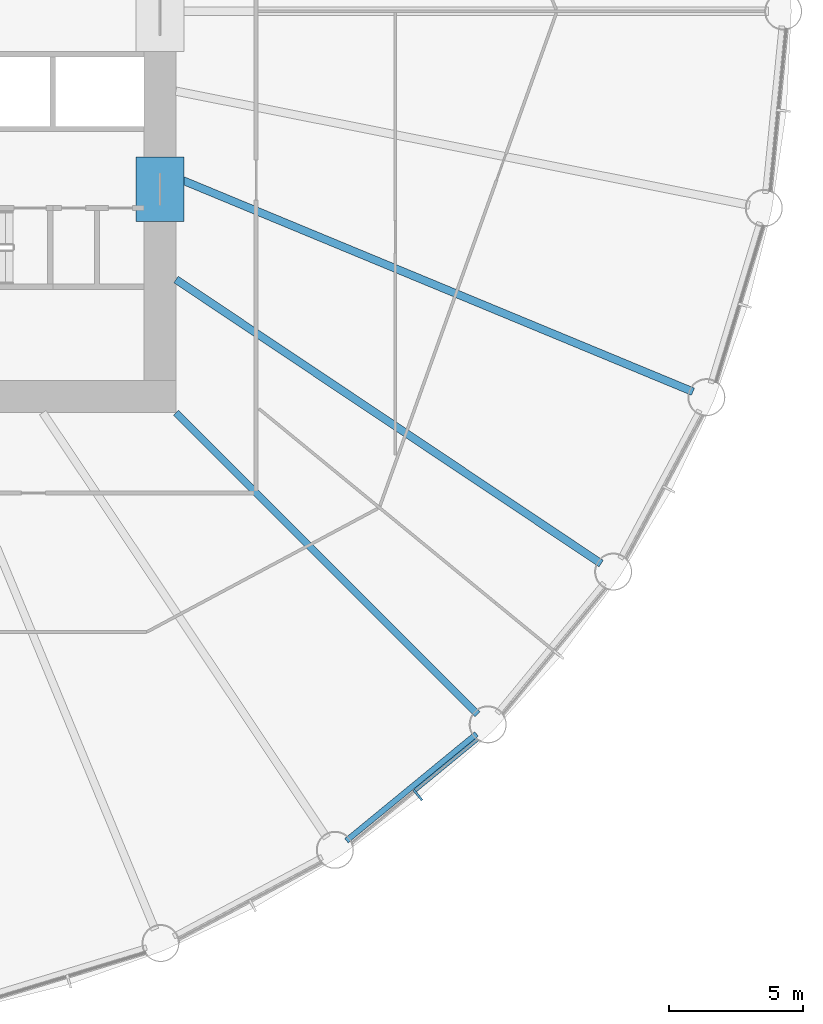
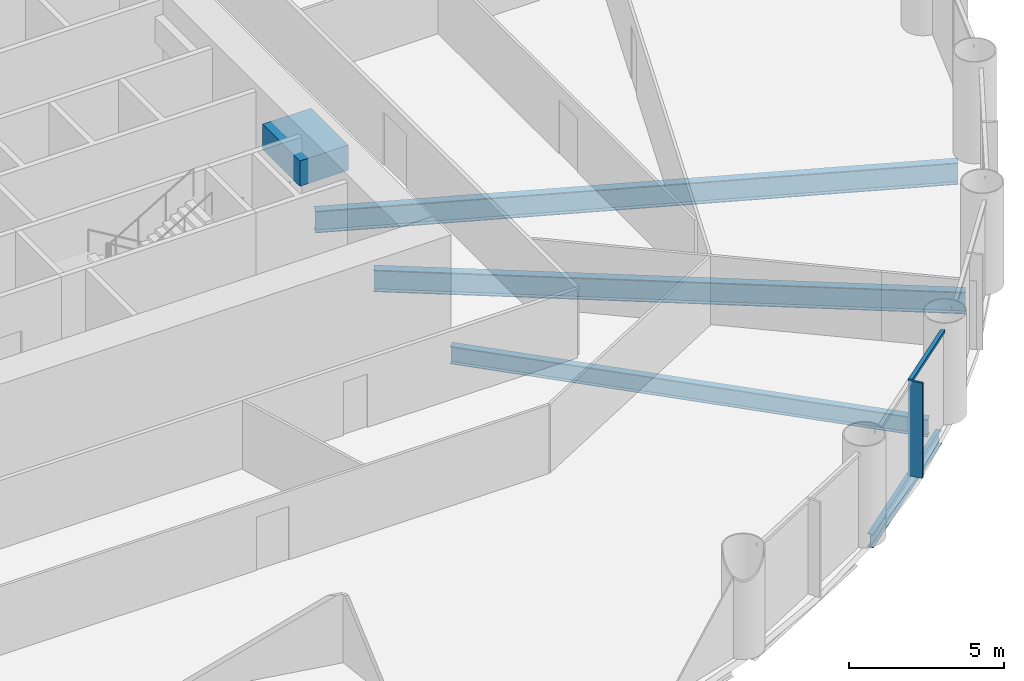
# One storey, part 3 of 15: 5 beams, 2 members, 1 element without a shape of its own.
"""IFC4 building model written with IfcOpenShell, lengths in metres."""

from ifc_helpers import new_model, si_unit, direction, frame, origin, origin_2d, place, context, subcontext, project, spatial, rectangle, i_section, extrude, material, material_profile, profile_set, type_object, element, aggregate, save


model = new_model("IFC4")

# Units and contexts
model_context = context("Model", 3, precision=1e-05, world=origin(), true_north=direction((0.0, 1.0)))
body_context = subcontext(model_context, "Body", "Model", "MODEL_VIEW")
ifc_project = project(units=[si_unit("LENGTHUNIT", "METRE"), si_unit("AREAUNIT", "SQUARE_METRE"), si_unit("VOLUMEUNIT", "CUBIC_METRE"), si_unit("PLANEANGLEUNIT", "RADIAN"), si_unit("MASSUNIT", "GRAM", prefix="KILO")], contexts=[model_context])

# Site, building, storey
site_placement = place(None, origin())
site = spatial("IfcSite", under=ifc_project, at=site_placement, CompositionType="ELEMENT")
building_placement = place(site_placement, origin())
building = spatial("IfcBuilding", under=site, at=building_placement, Name="Corvane Civic Tower", CompositionType="ELEMENT")
storey_placement = place(building_placement, frame((0.0, 0.0, 61.0)))
storey = spatial("IfcBuildingStorey", under=building, at=storey_placement, Name="L13", CompositionType="ELEMENT", Elevation=61.0)

# Beams
ifc_material_1 = material(Name="Concrete C80/95", Category="concrete")
ifc_material_profile_1 = material_profile(ifc_material_1, rectangle(XDim=1.800048828125, YDim=1.0, at=origin_2d()), Name="COUPLING BEAM 1800X1000")
ifc_profile_set_1 = profile_set([ifc_material_profile_1], Name="Concrete C80/95")
beam_type_1 = type_object("IfcBeamType", Name="COUPLING BEAM COUPLING BEAM 1800X1000", PredefinedType="BEAM", material=ifc_profile_set_1)
beam_1_placement = place(storey_placement, frame((14.39990234375, -7.85009765625, 2.60009765625), z_axis=(0.0, 1.0, 0.0), x_axis=(-1.0, 0.0, 0.0)))
element("IfcBeam", 1, at=beam_1_placement, inside=storey, type_object=beam_type_1, Name="BM-L13-cpl-CW-ES", PredefinedType="BEAM", context=body_context, shape_type="SweptSolid", body=[
    extrude(rectangle(XDim=1.800048828125, YDim=1.0, at=origin_2d()), origin(), (0.0, 0.0, 1.0), 2.400146484375),
])
ifc_material_2 = material(Name="Steel ASTM A992 Gr 50", Category="steel")
ifc_material_profile_2 = material_profile(ifc_material_2, i_section(OverallWidth=0.209228515625, OverallDepth=0.533447265625, WebThickness=0.01025390625, FlangeThickness=0.015625, at=origin_2d()), Name="W21X62")
ifc_profile_set_2 = profile_set([ifc_material_profile_2], Name="Steel ASTM A992 Gr 50")
beam_type_2 = type_object("IfcBeamType", Name="EDGE BEAM W21X62", PredefinedType="BEAM", material=ifc_profile_set_2)
beam_2_placement = place(storey_placement, frame((26.23291015625, -27.0068359375, -0.566650390625), z_axis=(-0.773015785286, -0.634386787141, 0.0), x_axis=(0.634386787141, -0.773015785286, 0.0)))
element("IfcBeam", 2, at=beam_2_placement, inside=storey, type_object=beam_type_2, Name="BM-L13-E13", PredefinedType="BEAM", context=body_context, shape_type="SweptSolid", body=[
    extrude(i_section(OverallWidth=0.209228515625, OverallDepth=0.533447265625, WebThickness=0.01025390625, FlangeThickness=0.015625, at=origin_2d()), origin(), (0.0, 0.0, 1.0), 6.290771484375),
])
ifc_material_3 = material(Name="Steel ASTM A992 Gr 50", Category="steel")
ifc_material_profile_3 = material_profile(ifc_material_3, i_section(OverallWidth=0.256591796875, OverallDepth=0.693359375, WebThickness=0.014404296875, FlangeThickness=0.023681640625, at=origin_2d()), Name="W27X114")
ifc_profile_set_3 = profile_set([ifc_material_profile_3], Name="Steel ASTM A992 Gr 50")
beam_type_3 = type_object("IfcBeamType", Name="FLOOR GIRDER W27X114", PredefinedType="BEAM", material=ifc_profile_set_3)
beam_3_placement = place(storey_placement, frame((15.0, -15.0, -0.646728515625), z_axis=(0.707106781187, -0.707106781187, 0.0), x_axis=(0.707106781187, 0.707106781187, 0.0)))
element("IfcBeam", 3, at=beam_3_placement, inside=storey, type_object=beam_type_3, Name="BM-L13-G13", PredefinedType="BEAM", context=body_context, shape_type="SweptSolid", body=[
    extrude(i_section(OverallWidth=0.256591796875, OverallDepth=0.693359375, WebThickness=0.014404296875, FlangeThickness=0.023681640625, at=origin_2d()), origin(), (0.0, 0.0, 1.0), 15.936767578125),
])
ifc_material_4 = material(Name="Steel ASTM A992 Gr 50", Category="steel")
ifc_material_profile_4 = material_profile(ifc_material_4, i_section(OverallWidth=0.2919921875, OverallDepth=0.8583984375, WebThickness=0.01708984375, FlangeThickness=0.031005859375, at=origin_2d()), Name="W33X169")
ifc_profile_set_4 = profile_set([ifc_material_profile_4], Name="Steel ASTM A992 Gr 50")
beam_type_4 = type_object("IfcBeamType", Name="FLOOR GIRDER W33X169", PredefinedType="BEAM", material=ifc_profile_set_4)
beam_4_placement = place(storey_placement, frame((15.0, -6.213134765625, -0.729248046875), z_axis=(0.923875834355, -0.382692360381, 0.0), x_axis=(0.382692360381, 0.923875834355, 0.0)))
element("IfcBeam", 4, at=beam_4_placement, inside=storey, type_object=beam_type_4, Name="BM-L13-G11", PredefinedType="BEAM", context=body_context, shape_type="SweptSolid", body=[
    extrude(i_section(OverallWidth=0.2919921875, OverallDepth=0.8583984375, WebThickness=0.01708984375, FlangeThickness=0.031005859375, at=origin_2d()), origin(), (0.0, 0.0, 1.0), 20.9140625),
])
beam_5_placement = place(storey_placement, frame((15.0, -10.022705078125, -0.729248046875), z_axis=(0.831471985418, -0.555566681385, 0.0), x_axis=(0.555566681385, 0.831471985418, 0.0)))
element("IfcBeam", 5, at=beam_5_placement, inside=storey, type_object=beam_type_4, Name="BM-L13-G12", PredefinedType="BEAM", context=body_context, shape_type="SweptSolid", body=[
    extrude(i_section(OverallWidth=0.2919921875, OverallDepth=0.8583984375, WebThickness=0.01708984375, FlangeThickness=0.031005859375, at=origin_2d()), origin(), (0.0, 0.0, 1.0), 19.109619140625),
])

# Curtain wall, members
ifc_material_5 = material(Name="Anodised aluminium bronze", Category="aluminium")
curtain_wall_type = type_object("IfcCurtainWallType", Name="TOWER CW-T1 STICK CURTAIN WALL", PredefinedType="NOTDEFINED", material=ifc_material_5)
curtain_wall_placement = place(storey_placement, origin())
curtain_wall = element("IfcCurtainWall", 6, at=curtain_wall_placement, inside=storey, type_object=curtain_wall_type, Name="Curtain wall CW-T1 L13 bay 13", PredefinedType="NOTDEFINED")
ifc_material_6 = material(Name="Anodised aluminium bronze", Category="aluminium")
ifc_material_profile_5 = material_profile(ifc_material_6, rectangle(XDim=0.139892578125, YDim=0.1201171875, at=origin_2d()), Name="TOWER CW-T1 TRANSOM 140x120")
ifc_profile_set_5 = profile_set([ifc_material_profile_5], Name="Anodised aluminium bronze")
member_type_1 = type_object("IfcMemberType", Name="TOWER CW-T1 TRANSOM 140x120", PredefinedType="USERDEFINED", material=ifc_profile_set_5)
member_1_placement = place(storey_placement, frame((26.271728515625, -27.20654296875, 3.68994140625), z_axis=(-0.773001943873, -0.634403652865, 0.0), x_axis=(0.634403652865, -0.773001943873, 0.0)))
member_1 = element("IfcMember", 7, at=member_1_placement, type_object=member_type_1, Name="Transom CW-T1 L13 13.1", ObjectType="TRANSOM", PredefinedType="USERDEFINED", context=body_context, shape_type="SweptSolid", body=[
    extrude(rectangle(XDim=0.139892578125, YDim=0.1201171875, at=origin_2d()), origin(), (0.0, 0.0, 1.0), 3.008544921875),
])
ifc_material_7 = material(Name="Anodised aluminium bronze", Category="aluminium")
ifc_material_profile_6 = material_profile(ifc_material_7, rectangle(XDim=0.080078125, YDim=0.5, at=origin_2d()), Name="TOWER FIN MULLION 80x500 BRONZE")
ifc_profile_set_6 = profile_set([ifc_material_profile_6], Name="Anodised aluminium bronze")
member_type_2 = type_object("IfcMemberType", Name="TOWER FIN MULLION 80x500 BRONZE", PredefinedType="MULLION", material=ifc_profile_set_6)
member_2_placement = place(storey_placement, frame((24.0419921875, -29.295166015625, 0.0), z_axis=(0.0, 0.0, 1.0), x_axis=(-0.773007224463, -0.634397218569, 0.0)))
member_2 = element("IfcMember", 8, at=member_2_placement, type_object=member_type_2, Name="Fin mullion 13 L13", PredefinedType="MULLION", context=body_context, shape_type="SweptSolid", body=[
    extrude(rectangle(XDim=0.080078125, YDim=0.5, at=origin_2d()), origin(), (0.0, 0.0, 1.0), 3.75),
])
aggregate(curtain_wall, [member_2, member_1])

save(model, "model.ifc")
